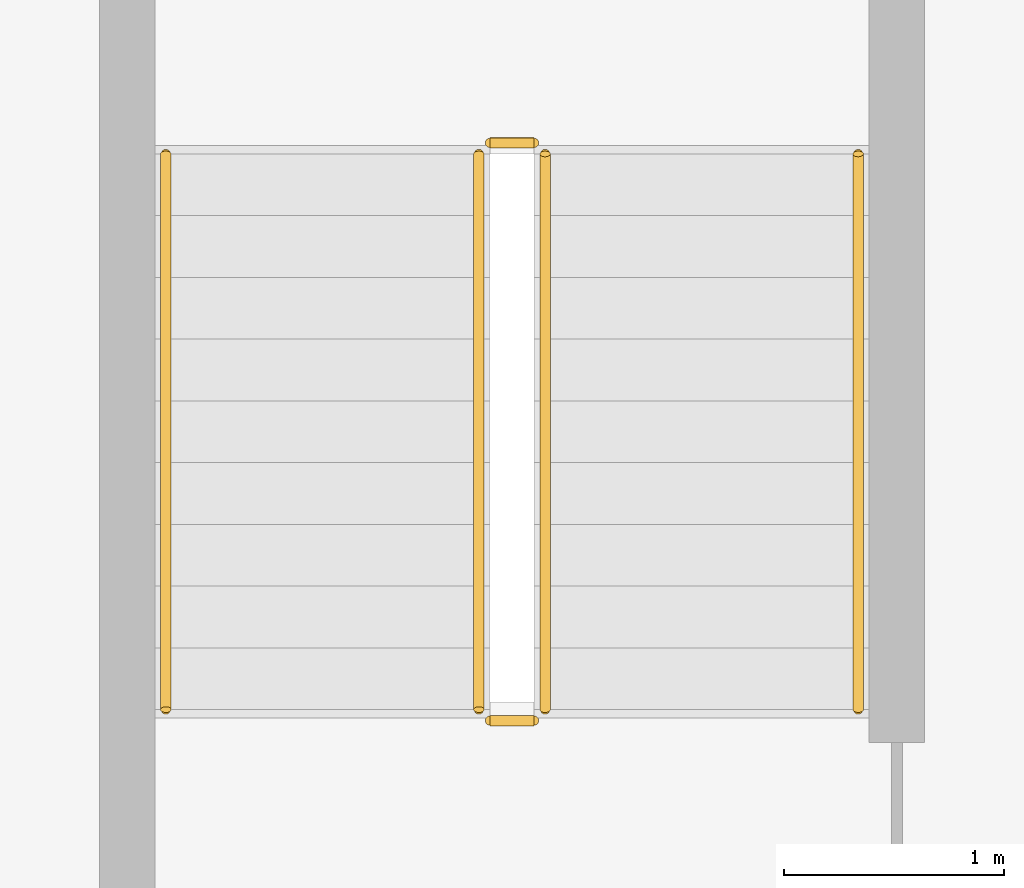
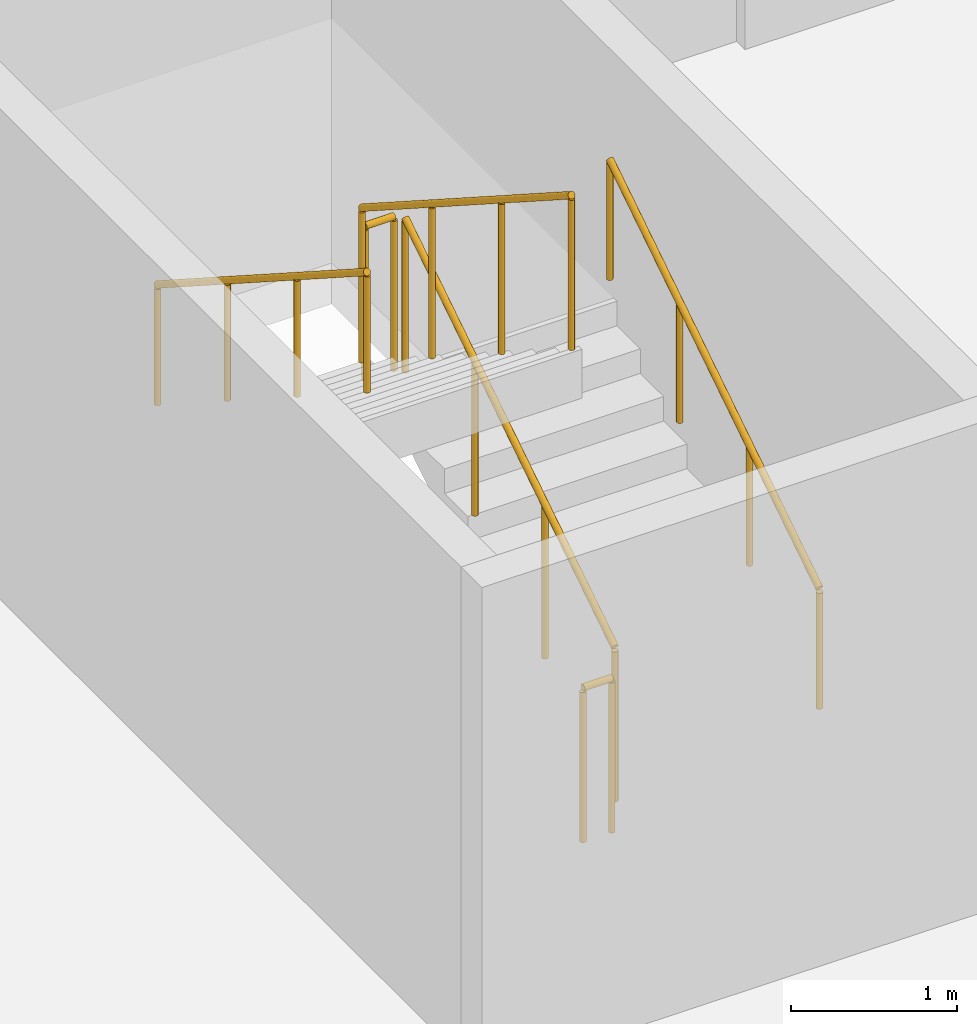
# One storey, part 18 of 22: 6 railings.
"""IFC4 building model written with IfcOpenShell, lengths in metres."""

from ifc_helpers import new_model, si_unit, direction, frame, origin, origin_2d, place, context, subcontext, project, spatial, circle, extrude, material, type_object, element, save


model = new_model("IFC4")

# Units and contexts
model_context = context("Model", 3, precision=1e-05, world=origin(), true_north=direction((0.0, 1.0)))
body_context = subcontext(model_context, "Body", "Model", "MODEL_VIEW")
ifc_project = project(units=[si_unit("LENGTHUNIT", "METRE"), si_unit("AREAUNIT", "SQUARE_METRE"), si_unit("VOLUMEUNIT", "CUBIC_METRE"), si_unit("PLANEANGLEUNIT", "RADIAN"), si_unit("MASSUNIT", "GRAM", prefix="KILO")], contexts=[model_context])

# Site, building, storey
site_placement = place(None, origin())
site = spatial("IfcSite", under=ifc_project, at=site_placement, CompositionType="ELEMENT")
building_placement = place(site_placement, origin())
building = spatial("IfcBuilding", under=site, at=building_placement, Name="Korimba Cascade Residences", CompositionType="ELEMENT")
storey_placement = place(building_placement, frame((0.0, 0.0, -7.199951171875)))
storey = spatial("IfcBuildingStorey", under=building, at=storey_placement, Name="B02", CompositionType="ELEMENT", Elevation=-7.199951171875)

# Railings
ifc_material_1 = material(Name="Painted Steel Stairwell Guardrail", Category="steel")
railing_type_1 = type_object("IfcRailingType", Name="RLG-ST-GD1150", PredefinedType="GUARDRAIL", material=ifc_material_1)
railing_1_placement = place(storey_placement, frame((58.27001953125, 36.64990234375, 0.179931640625)))
element("IfcRailing", 1, at=railing_1_placement, inside=storey, type_object=railing_type_1, Name="B02 ST-P1 stair guard 1", PredefinedType="GUARDRAIL", context=body_context, shape_type="SweptSolid", body=[
    extrude(circle(Radius=0.02392578125, at=origin_2d()), frame((0.0, 0.0, 1.1259765625), z_axis=(0.0, 0.841162588446, 0.540782303519), x_axis=(-1.0, 0.0, 0.0)), (0.0, 0.0, 1.0), 2.995849609375),
    extrude(circle(Radius=0.02099609375, at=origin_2d()), origin(), (0.0, 0.0, 1.0), 1.101806640625),
    extrude(circle(Radius=0.02099609375, at=origin_2d()), frame((0.0, 0.840087890625, 0.5400390625)), (0.0, 0.0, 1.0), 1.101806640625),
    extrude(circle(Radius=0.02099609375, at=origin_2d()), frame((0.0, 1.679931640625, 1.080078125)), (0.0, 0.0, 1.0), 1.101806640625),
    extrude(circle(Radius=0.02099609375, at=origin_2d()), frame((0.0, 2.52001953125, 1.6201171875)), (0.0, 0.0, 1.0), 1.101806640625),
])
railing_2_placement = place(storey_placement, frame((58.219970703125, 39.219970703125, 1.800048828125)))
element("IfcRailing", 2, at=railing_2_placement, inside=storey, type_object=railing_type_1, Name="B02 ST-P1 stair guard 2", PredefinedType="GUARDRAIL", context=body_context, shape_type="SweptSolid", body=[
    extrude(circle(Radius=0.02392578125, at=origin_2d()), frame((0.0, 0.0, 1.1259765625), z_axis=(-1.0, 0.0, 0.0), x_axis=(0.0, -1.0, 0.0)), (0.0, 0.0, 1.0), 0.199951171875),
    extrude(circle(Radius=0.02099609375, at=origin_2d()), origin(), (0.0, 0.0, 1.0), 1.101806640625),
    extrude(circle(Radius=0.02099609375, at=origin_2d()), frame((-0.199951171875, 0.0, 0.0)), (0.0, 0.0, 1.0), 1.101806640625),
])
railing_3_placement = place(storey_placement, frame((57.969970703125, 39.169921875, 1.97998046875)))
element("IfcRailing", 3, at=railing_3_placement, inside=storey, type_object=railing_type_1, Name="B02 ST-P1 stair guard 3", PredefinedType="GUARDRAIL", context=body_context, shape_type="SweptSolid", body=[
    extrude(circle(Radius=0.02392578125, at=origin_2d()), frame((0.0, 0.0, 1.1259765625), z_axis=(0.0, -0.841199657755, 0.540724639528), x_axis=(1.0, 0.0, 0.0)), (0.0, 0.0, 1.0), 2.995849609375),
    extrude(circle(Radius=0.02099609375, at=origin_2d()), origin(), (0.0, 0.0, 1.0), 1.101806640625),
    extrude(circle(Radius=0.02099609375, at=origin_2d()), frame((0.0, -0.840087890625, 0.5400390625)), (0.0, 0.0, 1.0), 1.101806640625),
    extrude(circle(Radius=0.02099609375, at=origin_2d()), frame((0.0, -1.679931640625, 1.079833984375)), (0.0, 0.0, 1.0), 1.101806640625),
    extrude(circle(Radius=0.02099609375, at=origin_2d()), frame((0.0, -2.52001953125, 1.619873046875)), (0.0, 0.0, 1.0), 1.101806640625),
])
railing_4_placement = place(storey_placement, frame((58.219970703125, 36.60009765625, 0.0)))
element("IfcRailing", 4, at=railing_4_placement, inside=storey, type_object=railing_type_1, Name="B02 ST-P1 stair guard 4", PredefinedType="GUARDRAIL", context=body_context, shape_type="SweptSolid", body=[
    extrude(circle(Radius=0.02392578125, at=origin_2d()), frame((0.0, 0.0, 1.1259765625), z_axis=(-1.0, 0.0, 0.0), x_axis=(0.0, -1.0, 0.0)), (0.0, 0.0, 1.0), 0.199951171875),
    extrude(circle(Radius=0.02099609375, at=origin_2d()), origin(), (0.0, 0.0, 1.0), 1.101806640625),
    extrude(circle(Radius=0.02099609375, at=origin_2d()), frame((-0.199951171875, 0.0, 0.0)), (0.0, 0.0, 1.0), 1.101806640625),
])
ifc_material_2 = material(Name="Brushed Stainless Steel Handrail", Category="steel")
railing_type_2 = type_object("IfcRailingType", Name="RLG-ST-HR900", PredefinedType="HANDRAIL", material=ifc_material_2)
railing_5_placement = place(storey_placement, frame((59.68994140625, 36.64990234375, 0.36376953125)))
element("IfcRailing", 5, at=railing_5_placement, inside=storey, type_object=railing_type_2, Name="B02 ST-P1 stair handrail 1", PredefinedType="HANDRAIL", context=body_context, shape_type="SweptSolid", body=[
    extrude(circle(Radius=0.02392578125, at=origin_2d()), frame((0.0, 0.0, 0.8759765625), z_axis=(0.0, 0.841199657755, 0.540724639528), x_axis=(-1.0, 0.0, 0.0)), (0.0, 0.0, 1.0), 2.995849609375),
    extrude(circle(Radius=0.02099609375, at=origin_2d()), origin(), (0.0, 0.0, 1.0), 0.851806640625),
    extrude(circle(Radius=0.02099609375, at=origin_2d()), frame((0.0, 0.840087890625, 0.5400390625)), (0.0, 0.0, 1.0), 0.851806640625),
    extrude(circle(Radius=0.02099609375, at=origin_2d()), frame((0.0, 1.679931640625, 1.079833984375)), (0.0, 0.0, 1.0), 0.851806640625),
    extrude(circle(Radius=0.02099609375, at=origin_2d()), frame((0.0, 2.52001953125, 1.619873046875)), (0.0, 0.0, 1.0), 0.851806640625),
])
railing_6_placement = place(storey_placement, frame((56.550048828125, 39.169921875, 2.163818359375)))
element("IfcRailing", 6, at=railing_6_placement, inside=storey, type_object=railing_type_2, Name="B02 ST-P1 stair handrail 2", PredefinedType="HANDRAIL", context=body_context, shape_type="SweptSolid", body=[
    extrude(circle(Radius=0.02392578125, at=origin_2d()), frame((0.0, 0.0, 0.8759765625), z_axis=(0.0, -0.841199657755, 0.540724639528), x_axis=(1.0, 0.0, 0.0)), (0.0, 0.0, 1.0), 2.995849609375),
    extrude(circle(Radius=0.02099609375, at=origin_2d()), origin(), (0.0, 0.0, 1.0), 0.851806640625),
    extrude(circle(Radius=0.02099609375, at=origin_2d()), frame((0.0, -0.840087890625, 0.5400390625)), (0.0, 0.0, 1.0), 0.851806640625),
    extrude(circle(Radius=0.02099609375, at=origin_2d()), frame((0.0, -1.679931640625, 1.079833984375)), (0.0, 0.0, 1.0), 0.851806640625),
    extrude(circle(Radius=0.02099609375, at=origin_2d()), frame((0.0, -2.52001953125, 1.619873046875)), (0.0, 0.0, 1.0), 0.851806640625),
])

save(model, "model.ifc")
